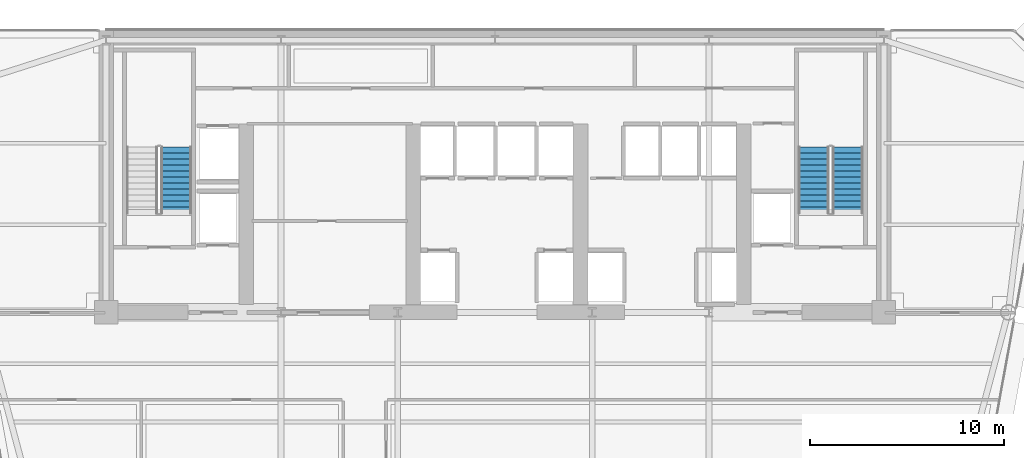
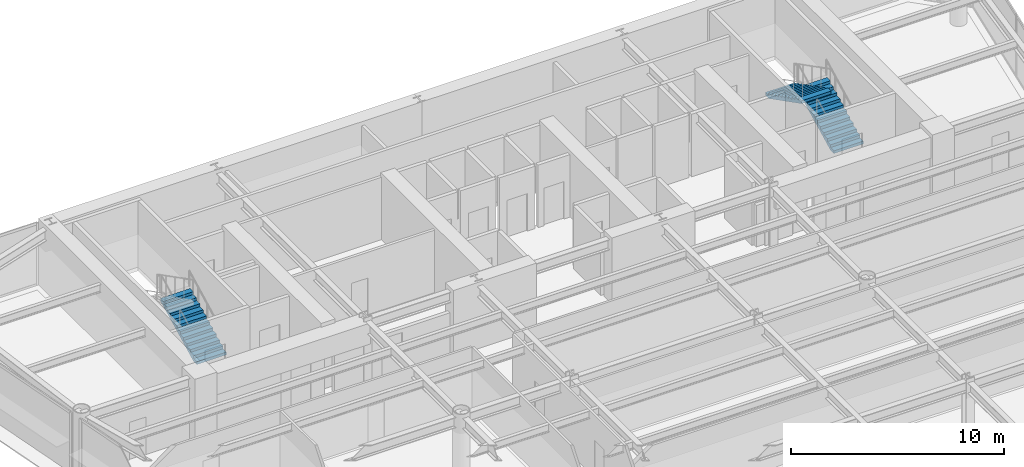
# One storey, part 13 of 17: 3 stair flights, 2 elements without a shape of their own.
"""IFC4 building model written with IfcOpenShell, lengths in metres."""

from ifc_helpers import new_model, si_unit, direction, frame, origin, place, context, subcontext, project, spatial, polyline, outline, extrude, material, type_object, element, aggregate, save


model = new_model("IFC4")

# Units and contexts
model_context = context("Model", 3, precision=1e-05, world=origin(), true_north=direction((0.0, 1.0)))
body_context = subcontext(model_context, "Body", "Model", "MODEL_VIEW")
ifc_project = project(units=[si_unit("LENGTHUNIT", "METRE"), si_unit("AREAUNIT", "SQUARE_METRE"), si_unit("VOLUMEUNIT", "CUBIC_METRE"), si_unit("PLANEANGLEUNIT", "RADIAN"), si_unit("MASSUNIT", "GRAM", prefix="KILO")], contexts=[model_context])

# Site, building, storey
site_placement = place(None, origin())
site = spatial("IfcSite", under=ifc_project, at=site_placement, CompositionType="ELEMENT")
building_placement = place(site_placement, origin())
building = spatial("IfcBuilding", under=site, at=building_placement, Name="Vaeldorn Concourse Tower", CompositionType="ELEMENT")
storey_placement = place(building_placement, frame((0.0, 0.0, 161.39990234375)))
storey = spatial("IfcBuildingStorey", under=building, at=storey_placement, Name="L41", CompositionType="ELEMENT", Elevation=161.39990234375)

# Stair, stair flight
ifc_material = material(Name="Precast concrete C40/50", Category="concrete")
stair_type = type_object("IfcStairType", Name="STR-DOG-24x158", PredefinedType="HALF_TURN_STAIR", material=ifc_material)
stair_1_placement = place(storey_placement, origin())
stair_1 = element("IfcStair", 1, at=stair_1_placement, inside=storey, type_object=stair_type, Name="L41 West Core Exit Stair ST-1", PredefinedType="HALF_TURN_STAIR")
stair_flight_type = type_object("IfcStairFlightType", Name="STF-STR-12x158", PredefinedType="STRAIGHT", material=ifc_material)
stair_flight_1_placement = place(storey_placement, frame((17.60009765625, 41.60009765625, 0.0), z_axis=(0.0, 0.0, 1.0), x_axis=(0.0, 1.0, 0.0)))
stair_flight_1 = element("IfcStairFlight", 2, at=stair_flight_1_placement, type_object=stair_flight_type, Name="ST-1 flight 1", NumberOfRisers=12, NumberOfTreads=11, PredefinedType="STRAIGHT", RiserHeight=0.158333333, TreadLength=0.31, context=body_context, shape_type="SweptSolid", body=[
    extrude(outline(polyline([(0.0, 0.0), (0.0, 0.158447265625), (0.31005859375, 0.158447265625), (0.31005859375, 0.316650390625), (0.6201171875, 0.316650390625), (0.6201171875, 0.47509765625), (0.929931640625, 0.47509765625), (0.929931640625, 0.63330078125), (1.239990234375, 0.63330078125), (1.239990234375, 0.791748046875), (1.550048828125, 0.791748046875), (1.550048828125, 0.949951171875), (1.860107421875, 0.949951171875), (1.860107421875, 1.1083984375), (2.169921875, 1.1083984375), (2.169921875, 1.2666015625), (2.47998046875, 1.2666015625), (2.47998046875, 1.425048828125), (2.7900390625, 1.425048828125), (2.7900390625, 1.583251953125), (3.10009765625, 1.583251953125), (3.10009765625, 1.74169921875), (3.409912109375, 1.74169921875), (3.409912109375, 1.89990234375), (3.409912109375, 1.5732421875), (0.32958984375, 0.0), (0.0, 0.0)])), frame((0.0, 0.800048828125, 0.0), z_axis=(0.0, -1.0, 0.0), x_axis=(1.0, 0.0, 0.0)), (0.0, 0.0, 1.0), 1.60009765625),
])
aggregate(stair_1, [stair_flight_1])

# Stair, stair flights
stair_2_placement = place(storey_placement, origin())
stair_2 = element("IfcStair", 3, at=stair_2_placement, inside=storey, type_object=stair_type, Name="L41 East Core Exit Stair ST-2", PredefinedType="HALF_TURN_STAIR")
stair_flight_2_placement = place(storey_placement, frame((52.14990234375, 41.60009765625, 0.0), z_axis=(0.0, 0.0, 1.0), x_axis=(0.0, 1.0, 0.0)))
stair_flight_2 = element("IfcStairFlight", 4, at=stair_flight_2_placement, type_object=stair_flight_type, Name="ST-2 flight 1", NumberOfRisers=12, NumberOfTreads=11, PredefinedType="STRAIGHT", RiserHeight=0.158333333, TreadLength=0.31, context=body_context, shape_type="SweptSolid", body=[
    extrude(outline(polyline([(0.0, 0.0), (0.0, 0.158447265625), (0.31005859375, 0.158447265625), (0.31005859375, 0.316650390625), (0.6201171875, 0.316650390625), (0.6201171875, 0.47509765625), (0.929931640625, 0.47509765625), (0.929931640625, 0.63330078125), (1.239990234375, 0.63330078125), (1.239990234375, 0.791748046875), (1.550048828125, 0.791748046875), (1.550048828125, 0.949951171875), (1.860107421875, 0.949951171875), (1.860107421875, 1.1083984375), (2.169921875, 1.1083984375), (2.169921875, 1.2666015625), (2.47998046875, 1.2666015625), (2.47998046875, 1.425048828125), (2.7900390625, 1.425048828125), (2.7900390625, 1.583251953125), (3.10009765625, 1.583251953125), (3.10009765625, 1.74169921875), (3.409912109375, 1.74169921875), (3.409912109375, 1.89990234375), (3.409912109375, 1.5732421875), (0.32958984375, 0.0), (0.0, 0.0)])), frame((0.0, 0.800048828125, 0.0), z_axis=(0.0, -1.0, 0.0), x_axis=(1.0, 0.0, 0.0)), (0.0, 0.0, 1.0), 1.60009765625),
])
stair_flight_3_placement = place(storey_placement, frame((50.39990234375, 45.010009765625, 1.900146484375), z_axis=(0.0, 0.0, 1.0), x_axis=(0.0, -1.0, 0.0)))
stair_flight_3 = element("IfcStairFlight", 5, at=stair_flight_3_placement, type_object=stair_flight_type, Name="ST-2 flight 2", NumberOfRisers=12, NumberOfTreads=11, PredefinedType="STRAIGHT", RiserHeight=0.158333333, TreadLength=0.31, context=body_context, shape_type="SweptSolid", body=[
    extrude(outline(polyline([(0.0, 0.0), (0.0, 0.158447265625), (0.31005859375, 0.158447265625), (0.31005859375, 0.316650390625), (0.6201171875, 0.316650390625), (0.6201171875, 0.47509765625), (0.929931640625, 0.47509765625), (0.929931640625, 0.63330078125), (1.239990234375, 0.63330078125), (1.239990234375, 0.791748046875), (1.550048828125, 0.791748046875), (1.550048828125, 0.949951171875), (1.860107421875, 0.949951171875), (1.860107421875, 1.1083984375), (2.169921875, 1.1083984375), (2.169921875, 1.2666015625), (2.47998046875, 1.2666015625), (2.47998046875, 1.425048828125), (2.7900390625, 1.425048828125), (2.7900390625, 1.583251953125), (3.10009765625, 1.583251953125), (3.10009765625, 1.74169921875), (3.409912109375, 1.74169921875), (3.409912109375, 1.89990234375), (3.409912109375, 1.5732421875), (0.32958984375, 0.0), (0.0, 0.0)])), frame((0.0, 0.800048828125, 0.0), z_axis=(0.0, -1.0, 0.0), x_axis=(1.0, 0.0, 0.0)), (0.0, 0.0, 1.0), 1.60009765625),
])
aggregate(stair_2, [stair_flight_2, stair_flight_3])

save(model, "model.ifc")
